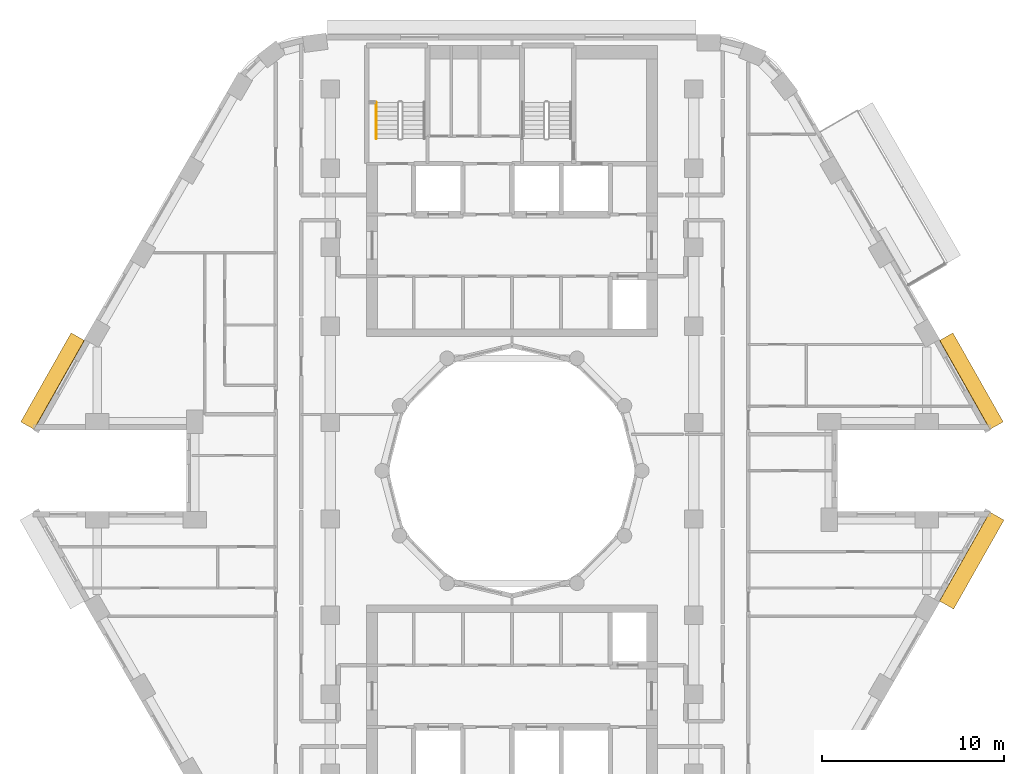
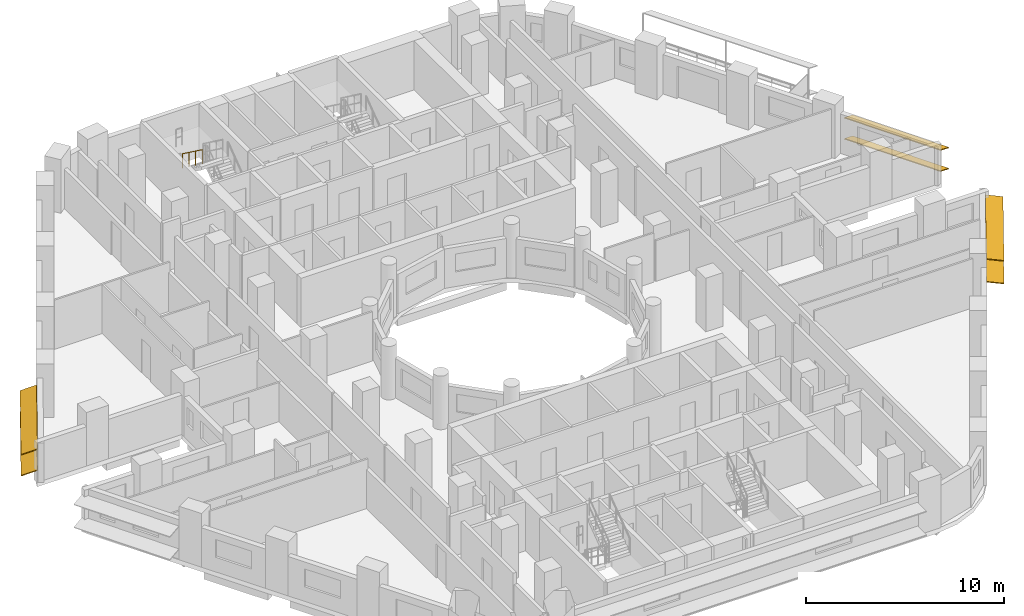
# One storey, part 13 of 14: 6 shading devices, 1 railing.
"""IFC4 building model written with IfcOpenShell, lengths in metres."""

from ifc_helpers import new_model, si_unit, direction, frame, origin, origin_2d, place, context, subcontext, project, spatial, rectangle, circle, extrude, material, material_profile, profile_set, type_object, element, save


model = new_model("IFC4")

# Units and contexts
model_context = context("Model", 3, precision=1e-05, world=origin(), true_north=direction((0.0, 1.0)))
body_context = subcontext(model_context, "Body", "Model", "MODEL_VIEW")
ifc_project = project(units=[si_unit("LENGTHUNIT", "METRE"), si_unit("AREAUNIT", "SQUARE_METRE"), si_unit("VOLUMEUNIT", "CUBIC_METRE"), si_unit("PLANEANGLEUNIT", "RADIAN"), si_unit("MASSUNIT", "GRAM", prefix="KILO")], contexts=[model_context])

# Site, building, storey
site_placement = place(None, origin())
site = spatial("IfcSite", under=ifc_project, at=site_placement, CompositionType="ELEMENT")
building_placement = place(site_placement, origin())
building = spatial("IfcBuilding", under=site, at=building_placement, Name="Nakaniwa Court", CompositionType="ELEMENT")
storey_placement = place(building_placement, frame((0.0, 0.0, 160.199951171875)))
storey = spatial("IfcBuildingStorey", under=building, at=storey_placement, Name="L42", CompositionType="ELEMENT", Elevation=160.199951171875)

# Shading devices
ifc_material_1 = material(Name="Perforated charcoal ceramic louvre blade")
ifc_material_profile = material_profile(ifc_material_1, rectangle(XDim=0.89990234375, YDim=0.050048828125, at=origin_2d()), Name="Perforated ceramic louvre blade")
ifc_profile_set = profile_set([ifc_material_profile], Name="Perforated charcoal ceramic louvre blade")
shading_device_type = type_object("IfcShadingDeviceType", Name="Perforated ceramic louvre blade", PredefinedType="JALOUSIE", material=ifc_profile_set)
for number, where, z_axis, x_axis, name in (
    (1, (106.662353515625, 82.48046875, 0.550048828125), (-0.49253187421, 0.870294405869, 0.0), (-0.804627241022, -0.455368390728, 0.38107037635), "L42 perforated ceramic louvre blade w02 1"),
    (2, (106.662353515625, 82.48046875, 1.845458984375), (-0.49253187421, 0.870294405869, 0.0), (-0.804627241022, -0.455368390728, 0.38107037635), "L42 perforated ceramic louvre blade w02 2"),
    (3, (56.10888671875, 87.377197265625, 0.550048828125), (-0.49253187421, -0.870294405869, 0.0), (0.804627241022, -0.455368390728, 0.38107037635), "L42 perforated ceramic louvre blade w14 1"),
    (4, (56.10888671875, 87.377197265625, 1.845458984375), (-0.49253187421, -0.870294405869, 0.0), (0.804627241022, -0.455368390728, 0.38107037635), "L42 perforated ceramic louvre blade w14 2"),
    (5, (103.911865234375, 72.611083984375, 0.550048828125), (0.49253187421, 0.870294405869, 0.0), (-0.862649339692, 0.488205247786, 0.132256390257), "L42 perforated ceramic louvre blade w32 1"),
    (6, (103.911865234375, 72.611083984375, 1.955810546875), (0.49253187421, 0.870294405869, 0.0), (-0.862649339692, 0.488205247786, 0.132256390257), "L42 perforated ceramic louvre blade w32 2"),
):
    element("IfcShadingDevice", number, at=place(storey_placement, frame(where, z_axis=z_axis, x_axis=x_axis)), inside=storey, type_object=shading_device_type, Name=name, PredefinedType="JALOUSIE", context=body_context, shape_type="SweptSolid", body=[
        extrude(rectangle(XDim=0.89990234375, YDim=0.050048828125, at=origin_2d()), origin(), (0.0, 0.0, 1.0), 5.62646484375),
    ])

# Railing
ifc_material_2 = material(Name="Black powder coated steel handrail", Category="steel")
railing_type = type_object("IfcRailingType", Name="Stair handrail 900", PredefinedType="HANDRAIL", material=ifc_material_2)
railing_placement = place(storey_placement, frame((72.52490234375, 100.27490234375, 1.83349609375)))
element("IfcRailing", 7, at=railing_placement, inside=storey, type_object=railing_type, Name="L42 ST1 stair handrail 2", PredefinedType="HANDRAIL", context=body_context, shape_type="SweptSolid", body=[
    extrude(circle(Radius=0.02392578125, at=origin_2d()), frame((0.0, 0.0, 0.8759765625), z_axis=(0.0, -0.806426902644, 0.591333789573), x_axis=(1.0, 0.0, 0.0)), (0.0, 0.0, 1.0), 2.47998046875),
    extrude(circle(Radius=0.02099609375, at=origin_2d()), origin(), (0.0, 0.0, 1.0), 0.851806640625),
    extrude(circle(Radius=0.02099609375, at=origin_2d()), frame((0.0, -0.666748046875, 0.48876953125)), (0.0, 0.0, 1.0), 0.851806640625),
    extrude(circle(Radius=0.02099609375, at=origin_2d()), frame((0.0, -1.333251953125, 0.977783203125)), (0.0, 0.0, 1.0), 0.851806640625),
    extrude(circle(Radius=0.02099609375, at=origin_2d()), frame((0.0, -2.0, 1.466552734375)), (0.0, 0.0, 1.0), 0.851806640625),
])

save(model, "model.ifc")
